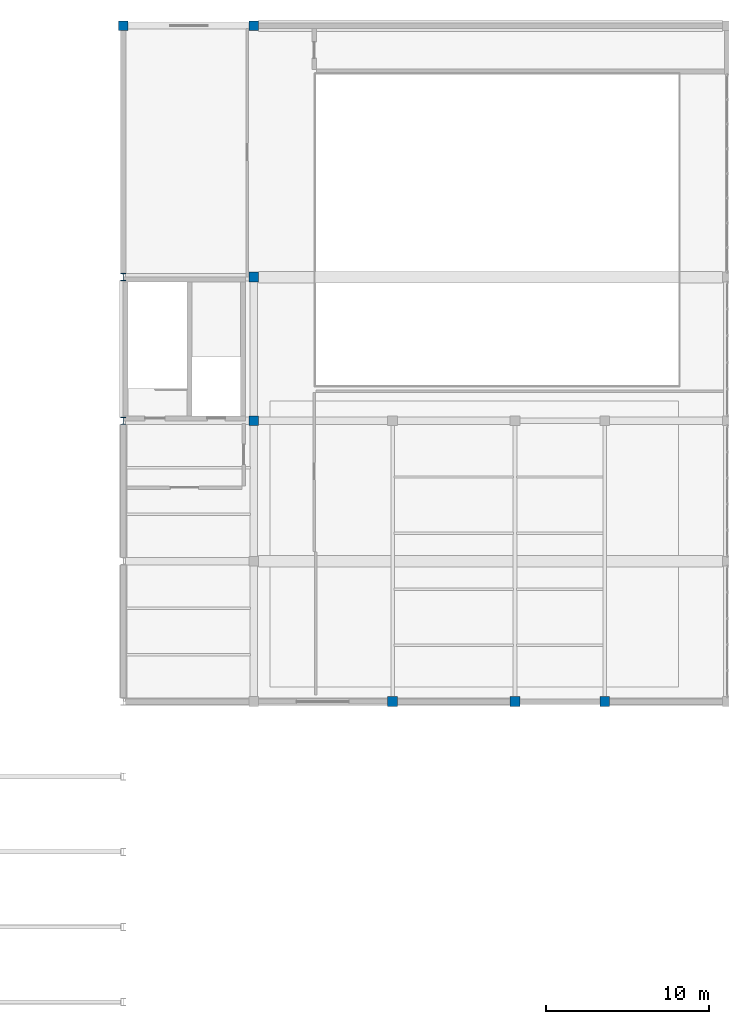
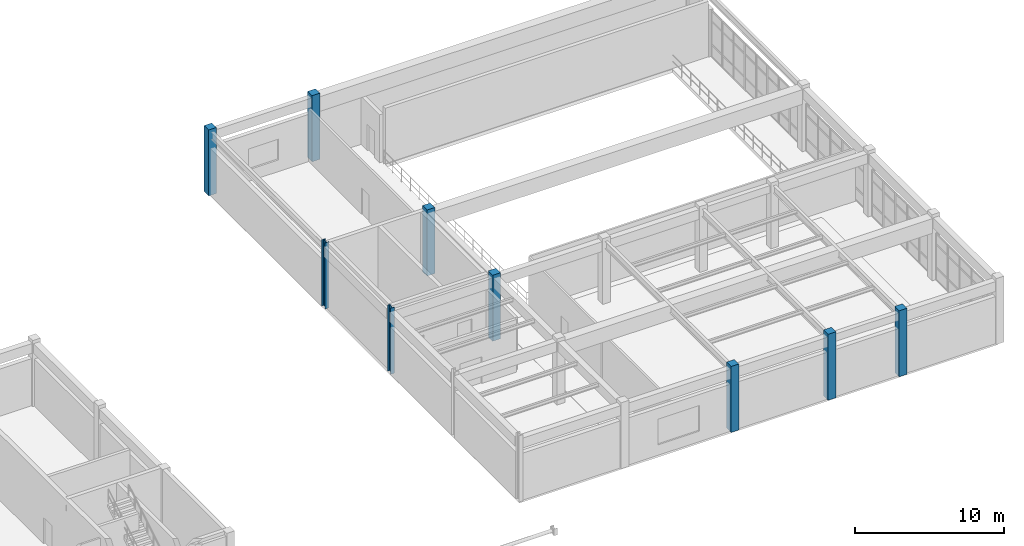
# One storey, part 6 of 38: 9 columns.
"""IFC4 building model written with IfcOpenShell, lengths in metres."""

from ifc_helpers import new_model, si_unit, direction, frame, origin, origin_2d, place, context, subcontext, project, spatial, rectangle, i_section, extrude, material, material_profile, profile_set, type_object, element, save


model = new_model("IFC4")

# Units and contexts
model_context = context("Model", 3, precision=1e-05, world=origin(), true_north=direction((0.0, 1.0)))
body_context = subcontext(model_context, "Body", "Model", "MODEL_VIEW")
ifc_project = project(units=[si_unit("LENGTHUNIT", "METRE"), si_unit("AREAUNIT", "SQUARE_METRE"), si_unit("VOLUMEUNIT", "CUBIC_METRE"), si_unit("PLANEANGLEUNIT", "RADIAN"), si_unit("MASSUNIT", "GRAM", prefix="KILO")], contexts=[model_context])

# Site, building, storey
site_placement = place(None, origin())
site = spatial("IfcSite", under=ifc_project, at=site_placement, CompositionType="ELEMENT")
building_placement = place(site_placement, origin())
building = spatial("IfcBuilding", under=site, at=building_placement, Name="Muzn Square Opera House", CompositionType="ELEMENT")
storey_placement = place(building_placement, frame((0.0, 0.0, 18.0)))
storey = spatial("IfcBuildingStorey", under=building, at=storey_placement, Name="L04", CompositionType="ELEMENT", Elevation=18.0)

# Columns
ifc_material_1 = material(Name="Concrete C45/55", Category="concrete")
ifc_material_profile_1 = material_profile(ifc_material_1, rectangle(XDim=0.60009765625, YDim=0.60009765625, at=origin_2d()), Name="RC 600x600", Category="concrete")
ifc_profile_set_1 = profile_set([ifc_material_profile_1], Name="Concrete C45/55")
column_type_1 = type_object("IfcColumnType", Name="Frame Column 600x600", PredefinedType="COLUMN", material=ifc_profile_set_1)
for number, where, z_axis, x_axis, name in (
    (1, (141.0, 89.800048828125, 0.0), (0.0, 0.0, 1.0), (1.0, 0.0, 0.0), "Column COL-L04-COL-600-1410_898"),
    (2, (141.0, 98.60009765625, 0.0), (0.0, 0.0, 1.0), (1.0, 0.0, 0.0), "Column COL-L04-COL-600-1410_986"),
    (3, (149.5, 72.60009765625, 0.0), (0.0, 0.0, 1.0), (1.0, 0.0, 0.0), "Column COL-L04-COL-600-1495_726"),
    (4, (157.0, 72.60009765625, 0.0), (0.0, 0.0, 1.0), (1.0, 0.0, 0.0), "Column COL-L04-COL-600-1570_726"),
    (5, (162.5, 72.60009765625, 0.0), (0.0, 0.0, 1.0), (1.0, 0.0, 0.0), "Column COL-L04-COL-600-1625_726"),
    (6, (133.0, 114.0, 0.0), (0.0, 0.0, 1.0), (1.0, 0.0, 0.0), "Column COL-N114-L04-016"),
    (7, (141.0, 114.0, 0.0), (0.0, 0.0, 1.0), (1.0, 0.0, 0.0), "Column COL-N114-L04-017"),
):
    element("IfcColumn", number, at=place(storey_placement, frame(where, z_axis=z_axis, x_axis=x_axis)), inside=storey, type_object=column_type_1, Name=name, PredefinedType="COLUMN", context=body_context, shape_type="SweptSolid", body=[
        extrude(rectangle(XDim=0.60009765625, YDim=0.60009765625, at=origin_2d()), origin(), (0.0, 0.0, 1.0), 5.39990234375),
    ])
ifc_material_2 = material(Name="Steel S355", Category="steel")
ifc_material_profile_2 = material_profile(ifc_material_2, i_section(OverallWidth=0.300048828125, OverallDepth=0.449951171875, WebThickness=0.013916015625, FlangeThickness=0.02587890625, FilletRadius=0.027099609375, at=origin_2d()), Name="HEB 450", Category="steel")
ifc_profile_set_2 = profile_set([ifc_material_profile_2], Name="Steel S355")
column_type_2 = type_object("IfcColumnType", Name="Steel Gallery Column HEB450", PredefinedType="COLUMN", material=ifc_profile_set_2)
for number, where, z_axis, x_axis, name in (
    (8, (133.0, 89.800048828125, 0.0), (0.0, 0.0, 1.0), (1.0, 0.0, 0.0), "Column COL-L04-COL-HEB450-1330_898"),
    (9, (133.0, 98.60009765625, 0.0), (0.0, 0.0, 1.0), (1.0, 0.0, 0.0), "Column COL-L04-COL-HEB450-1330_986"),
):
    element("IfcColumn", number, at=place(storey_placement, frame(where, z_axis=z_axis, x_axis=x_axis)), inside=storey, type_object=column_type_2, Name=name, PredefinedType="COLUMN", context=body_context, shape_type="SweptSolid", body=[
        extrude(i_section(OverallWidth=0.300048828125, OverallDepth=0.449951171875, WebThickness=0.013916015625, FlangeThickness=0.02587890625, FilletRadius=0.027099609375, at=origin_2d()), origin(), (0.0, 0.0, 1.0), 5.39990234375),
    ])

save(model, "model.ifc")
